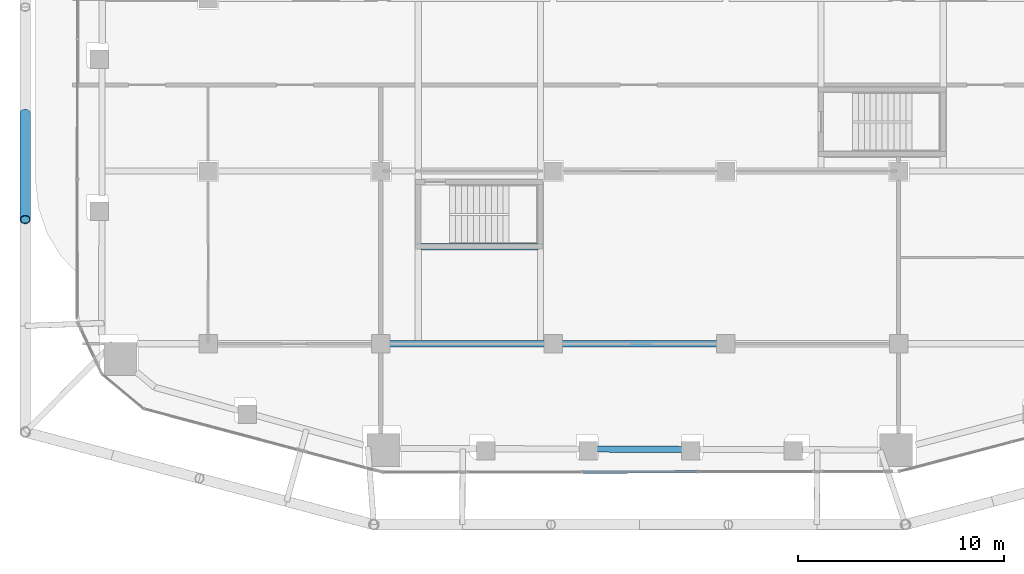
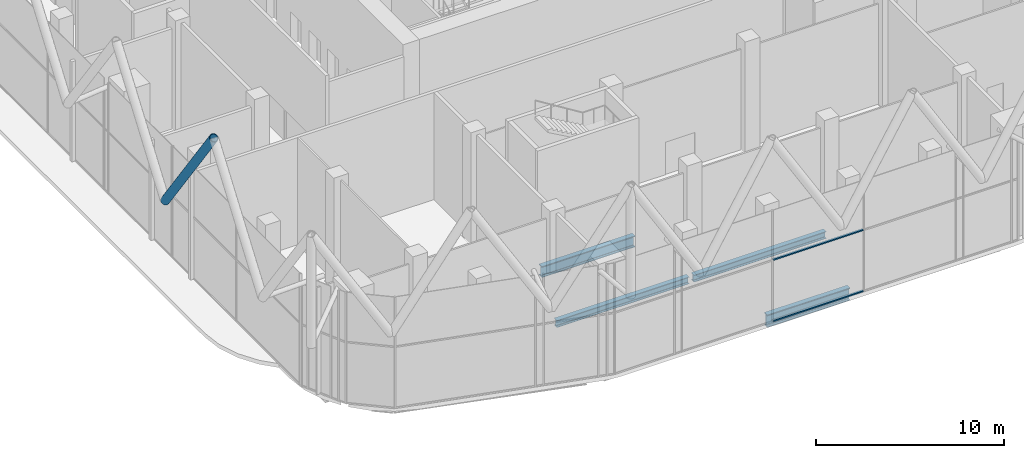
# One storey, part 3 of 34: 4 beams, 3 members, 1 element without a shape of its own.
"""IFC4 building model written with IfcOpenShell, lengths in metres."""

from ifc_helpers import new_model, si_unit, direction, frame, origin, origin_2d, place, context, subcontext, project, spatial, rectangle, hollow_circle, i_section, extrude, material, layer, layer_set, material_profile, profile_set, type_object, element, aggregate, save


model = new_model("IFC4")

# Units and contexts
model_context = context("Model", 3, precision=1e-05, world=origin(), true_north=direction((0.0, 1.0)))
body_context = subcontext(model_context, "Body", "Model", "MODEL_VIEW")
ifc_project = project(units=[si_unit("LENGTHUNIT", "METRE"), si_unit("AREAUNIT", "SQUARE_METRE"), si_unit("VOLUMEUNIT", "CUBIC_METRE"), si_unit("PLANEANGLEUNIT", "RADIAN"), si_unit("MASSUNIT", "GRAM", prefix="KILO")], contexts=[model_context])

# Site, building, storey
site_placement = place(None, origin())
site = spatial("IfcSite", under=ifc_project, at=site_placement, CompositionType="ELEMENT")
building_placement = place(site_placement, origin())
building = spatial("IfcBuilding", under=site, at=building_placement, Name="Marenta Gate Hotel Tower", CompositionType="ELEMENT")
storey_placement = place(building_placement, frame((0.0, 0.0, 97.699951171875)))
storey = spatial("IfcBuildingStorey", under=building, at=storey_placement, Name="L21", CompositionType="ELEMENT", Elevation=97.699951171875)

# Member
ifc_material_1 = material(Name="Steel S355J2W", Category="steel")
ifc_material_profile_1 = material_profile(ifc_material_1, hollow_circle(Radius=0.25390625, WallThickness=0.0400390625, at=origin_2d()), Name="CHS 508x40")
ifc_profile_set_1 = profile_set([ifc_material_profile_1], Name="Steel S355J2W")
member_type_1 = type_object("IfcMemberType", Name="Diagrid diagonal Z2 CHS 508x40", PredefinedType="BRACE", material=ifc_profile_set_1)
member_1_placement = place(storey_placement, frame((-29.89990234375, -5.590087890625, 6.739990234375), z_axis=(0.0, -0.583260841117, 0.812284919975), x_axis=(1.0, 0.0, 0.0)))
element("IfcMember", 1, at=member_1_placement, inside=storey, type_object=member_type_1, Name="L21-DG-27", PredefinedType="BRACE", context=body_context, shape_type="SweptSolid", body=[
    extrude(hollow_circle(Radius=0.25390625, WallThickness=0.0400390625, at=origin_2d()), origin(), (0.0, 0.0, 1.0), 8.86376953125),
])

# Beams
ifc_material_2 = material(Name="Steel S355", Category="steel")
ifc_material_profile_2 = material_profile(ifc_material_2, i_section(OverallWidth=0.302978515625, OverallDepth=0.81396484375, WebThickness=0.030029296875, FlangeThickness=0.052001953125, FilletRadius=0.030029296875, at=origin_2d()), Name="HEM 800")
ifc_profile_set_2 = profile_set([ifc_material_profile_2], Name="Steel S355")
beam_type_1 = type_object("IfcBeamType", Name="Edge beam HEM 800", PredefinedType="SPANDREL", material=ifc_profile_set_2)
beam_1_placement = place(storey_placement, frame((2.53369140625, -21.94091796875, -0.6669921875), z_axis=(-0.999994789102, 0.003228276519, 0.0), x_axis=(-0.003228276519, -0.999994789102, 0.0)))
element("IfcBeam", 2, at=beam_1_placement, inside=storey, type_object=beam_type_1, Name="L21-EB-32", PredefinedType="SPANDREL", context=body_context, shape_type="SweptSolid", body=[
    extrude(i_section(OverallWidth=0.302978515625, OverallDepth=0.81396484375, WebThickness=0.030029296875, FlangeThickness=0.052001953125, FilletRadius=0.030029296875, at=origin_2d()), origin(), (0.0, 0.0, 1.0), 5.06689453125),
])
ifc_material_3 = material(Name="Steel S355", Category="steel")
ifc_material_profile_3 = material_profile(ifc_material_3, i_section(OverallWidth=0.300048828125, OverallDepth=0.449951171875, WebThickness=0.013916015625, FlangeThickness=0.02587890625, FilletRadius=0.027099609375, at=origin_2d()), Name="HEB 450")
ifc_profile_set_3 = profile_set([ifc_material_profile_3], Name="Steel S355")
beam_type_2 = type_object("IfcBeamType", Name="Girder HEB 450", PredefinedType="BEAM", material=ifc_profile_set_3)
beam_2_placement = place(storey_placement, frame((-12.448486328125, -16.800048828125, -0.48486328125), z_axis=(1.0, 0.0, 0.0), x_axis=(0.0, 1.0, 0.0)))
element("IfcBeam", 3, at=beam_2_placement, inside=storey, type_object=beam_type_2, Name="L21-GD-3", PredefinedType="BEAM", context=body_context, shape_type="SweptSolid", body=[
    extrude(i_section(OverallWidth=0.300048828125, OverallDepth=0.449951171875, WebThickness=0.013916015625, FlangeThickness=0.02587890625, FilletRadius=0.027099609375, at=origin_2d()), origin(), (0.0, 0.0, 1.0), 8.096923828125),
])
beam_3_placement = place(storey_placement, frame((-4.048583984375, -16.800048828125, -0.48486328125), z_axis=(1.0, 0.0, 0.0), x_axis=(0.0, 1.0, 0.0)))
element("IfcBeam", 4, at=beam_3_placement, inside=storey, type_object=beam_type_2, Name="L21-GD-4", PredefinedType="BEAM", context=body_context, shape_type="SweptSolid", body=[
    extrude(i_section(OverallWidth=0.300048828125, OverallDepth=0.449951171875, WebThickness=0.013916015625, FlangeThickness=0.02587890625, FilletRadius=0.027099609375, at=origin_2d()), origin(), (0.0, 0.0, 1.0), 8.09716796875),
])
ifc_material_4 = material(Name="Steel S355", Category="steel")
ifc_material_profile_4 = material_profile(ifc_material_4, i_section(OverallWidth=0.303955078125, OverallDepth=0.716064453125, WebThickness=0.027099609375, FlangeThickness=0.048095703125, FilletRadius=0.027099609375, at=origin_2d()), Name="HEM 700")
ifc_profile_set_4 = profile_set([ifc_material_profile_4], Name="Steel S355")
beam_type_3 = type_object("IfcBeamType", Name="Stair wall transfer beam HEM 700", PredefinedType="BEAM", material=ifc_profile_set_4)
beam_4_placement = place(storey_placement, frame((-10.64990234375, -12.074951171875, -0.617919921875), z_axis=(1.0, 0.0, 0.0), x_axis=(0.0, 1.0, 0.0)))
element("IfcBeam", 5, at=beam_4_placement, inside=storey, type_object=beam_type_3, Name="L21-XB-RS-Z2-1-c", PredefinedType="BEAM", context=body_context, shape_type="SweptSolid", body=[
    extrude(i_section(OverallWidth=0.303955078125, OverallDepth=0.716064453125, WebThickness=0.027099609375, FlangeThickness=0.048095703125, FilletRadius=0.027099609375, at=origin_2d()), origin(), (0.0, 0.0, 1.0), 5.699951171875),
])

# Curtain wall, members
ifc_material_5 = material(Name="Tinted insulated glass in bronze anodised frame", Category="glass")
ifc_layer = layer(ifc_material_5, 0.1298828125)
ifc_layer_set = layer_set([ifc_layer], Name="Tinted insulated glass in bronze anodised frame")
curtain_wall_type = type_object("IfcCurtainWallType", Name="Sky lobby glazing CW2", PredefinedType="NOTDEFINED", material=ifc_layer_set)
curtain_wall_placement = place(storey_placement, origin())
curtain_wall = element("IfcCurtainWall", 6, at=curtain_wall_placement, inside=storey, type_object=curtain_wall_type, Name="CW2 run G21", PredefinedType="NOTDEFINED")
ifc_material_6 = material(Name="Bronze anodised aluminium", Category="aluminium")
ifc_material_profile_5 = material_profile(ifc_material_6, rectangle(XDim=0.1298828125, YDim=0.080078125, at=origin_2d()), Name="Transom CW2 80x130 bronze anodised aluminium")
ifc_profile_set_5 = profile_set([ifc_material_profile_5], Name="Bronze anodised aluminium")
member_type_2 = type_object("IfcMemberType", Name="Transom CW2 80x130 bronze anodised aluminium", PredefinedType="USERDEFINED", material=ifc_profile_set_5)
member_2_placement = place(storey_placement, frame((-2.751708984375, -23.039306640625, 0.0400390625), z_axis=(0.999999059995, 0.0013711341, 0.0), x_axis=(-0.0013711341, 0.999999059995, 0.0)))
member_2 = element("IfcMember", 7, at=member_2_placement, type_object=member_type_2, Name="CW2 transom 2.1", ObjectType="TRANSOM", PredefinedType="USERDEFINED", context=body_context, shape_type="SweptSolid", body=[
    extrude(rectangle(XDim=0.1298828125, YDim=0.080078125, at=origin_2d()), origin(), (0.0, 0.0, 1.0), 5.519775390625),
])
member_3_placement = place(storey_placement, frame((-2.751708984375, -23.039306640625, 4.0), z_axis=(0.999999059995, 0.0013711341, 0.0), x_axis=(-0.0013711341, 0.999999059995, 0.0)))
member_3 = element("IfcMember", 8, at=member_3_placement, type_object=member_type_2, Name="CW2 transom 2.2", ObjectType="TRANSOM", PredefinedType="USERDEFINED", context=body_context, shape_type="SweptSolid", body=[
    extrude(rectangle(XDim=0.1298828125, YDim=0.080078125, at=origin_2d()), origin(), (0.0, 0.0, 1.0), 5.519775390625),
])
aggregate(curtain_wall, [member_2, member_3])

save(model, "model.ifc")
